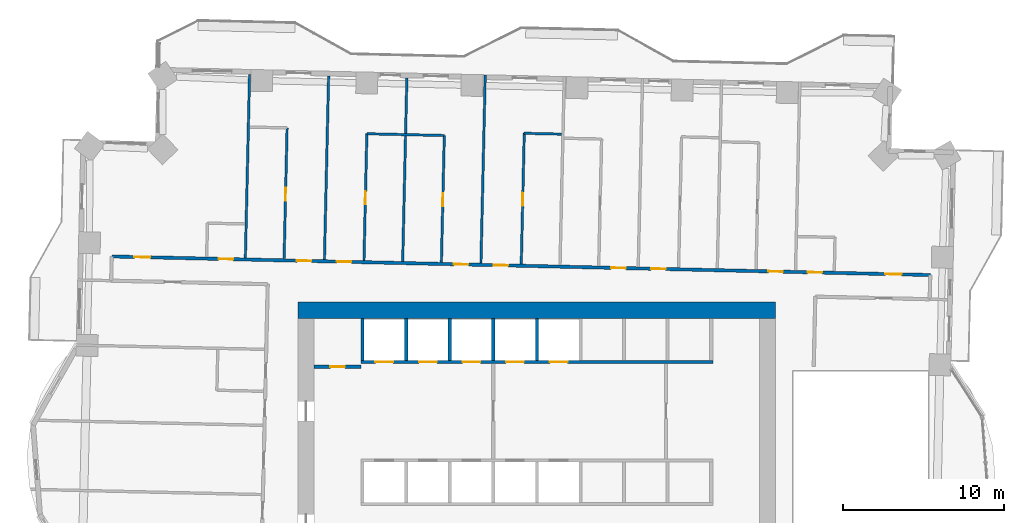
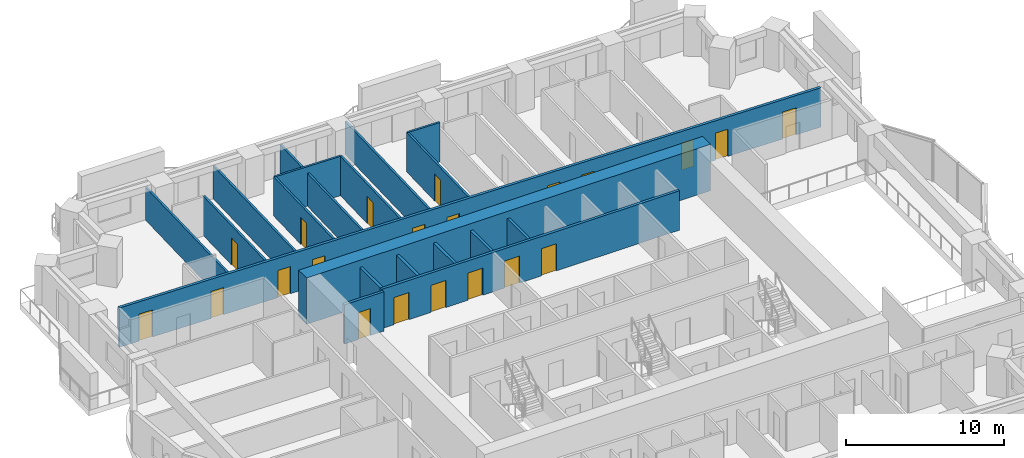
# One storey, part 10 of 16: 21 doors, 19 walls, 21 openings.
"""IFC4 building model written with IfcOpenShell, lengths in metres."""

from ifc_helpers import new_model, si_unit, direction, frame, frame_2d, origin, place, context, subcontext, project, spatial, rectangle, extrude, material, layer, layer_set, type_object, element, fill, save


model = new_model("IFC4")

# Units and contexts
model_context = context("Model", 3, precision=1e-05, world=origin(), true_north=direction((0.0, 1.0)))
body_context = subcontext(model_context, "Body", "Model", "MODEL_VIEW")
ifc_project = project(units=[si_unit("LENGTHUNIT", "METRE"), si_unit("AREAUNIT", "SQUARE_METRE"), si_unit("VOLUMEUNIT", "CUBIC_METRE"), si_unit("PLANEANGLEUNIT", "RADIAN"), si_unit("MASSUNIT", "GRAM", prefix="KILO")], contexts=[model_context])

# Site, building, storey
site_placement = place(None, origin())
site = spatial("IfcSite", under=ifc_project, at=site_placement, CompositionType="ELEMENT")
building_placement = place(site_placement, origin())
building = spatial("IfcBuilding", under=site, at=building_placement, Name="Mangrove Gate Tower", CompositionType="ELEMENT")
storey_placement = place(building_placement, frame((0.0, 0.0, 116.300048828125)))
storey = spatial("IfcBuildingStorey", under=building, at=storey_placement, Name="L29", CompositionType="ELEMENT", Elevation=116.300048828125)

# Wall, opening, door
ifc_material_1 = material(Name="Concrete C32/40", Category="concrete")
ifc_layer_1 = layer(ifc_material_1, 0.199951171875)
ifc_layer_set_1 = layer_set([ifc_layer_1], Name="Core lobby wall 200 C32/40")
wall_type_1 = type_object("IfcWallType", Name="Core lobby wall 200 C32/40", PredefinedType="STANDARD", material=ifc_layer_set_1)
wall_1_placement = place(storey_placement, frame((-13.800048828125, 7.800048828125, 0.0), z_axis=(0.0, 0.0, 1.0), x_axis=(1.0, 0.0, 0.0)))
wall_1 = element("IfcWall", 1, at=wall_1_placement, inside=storey, type_object=wall_type_1, Name="WALL-L29-CORE-37", PredefinedType="STANDARD", context=body_context, shape_type="SweptSolid", body=[
    extrude(rectangle(XDim=2.900146484375, YDim=0.199951171875, at=frame_2d((1.4501953125, 0.0))), origin(), (0.0, 0.0, 1.0), 3.050048828125),
])
opening_1_placement = place(wall_1_placement, frame((1.0, 0.0, 0.0)))
opening_1 = element("IfcOpeningElement", 2, at=opening_1_placement, cuts=wall_1, Name="Opening RD", PredefinedType="OPENING", context=body_context, shape_type="SweptSolid", body=[
    extrude(rectangle(XDim=0.89990234375, YDim=2.10009765625, at=frame_2d((0.449951171875, 1.050048828125))), frame((0.0, 0.10986328125, 0.0), z_axis=(0.0, -1.0, 0.0), x_axis=(1.0, 0.0, 0.0)), (0.0, 0.0, 1.0), 0.219970703125),
])
ifc_material_2 = material(Name="Fire-rated steel door set", Category="steel")
door_type_1 = type_object("IfcDoorType", Name="Riser door FD30S 900x2100", OperationType="SINGLE_SWING_LEFT", PredefinedType="DOOR", material=ifc_material_2)
door_1_placement = place(opening_1_placement, origin())
door_1 = element("IfcDoor", 3, at=door_1_placement, inside=storey, type_object=door_type_1, Name="Riser door electrical room", OperationType="SINGLE_SWING_LEFT", OverallHeight=2.10009765625, OverallWidth=0.89990234375, PredefinedType="DOOR", context=body_context, shape_type="SweptSolid", body=[
    extrude(rectangle(XDim=0.89990234375, YDim=2.10009765625, at=frame_2d((0.449951171875, 1.050048828125))), frame((0.0, 0.02490234375, 0.0), z_axis=(0.0, -1.0, 0.0), x_axis=(1.0, 0.0, 0.0)), (0.0, 0.0, 1.0), 0.050048828125),
])
fill(opening_1, door_1)

# Wall, openings, doors
ifc_material_3 = material(Name="Concrete C70/85", Category="concrete")
ifc_layer_2 = layer(ifc_material_3, 0.199951171875)
ifc_layer_set_2 = layer_set([ifc_layer_2], Name="Core shaft wall 200 C70/85")
wall_type_2 = type_object("IfcWallType", Name="Core shaft wall 200 C70/85", PredefinedType="SHEAR", material=ifc_layer_set_2)
wall_2_placement = place(storey_placement, frame((-10.89990234375, 8.10009765625, 0.0), z_axis=(0.0, 0.0, 1.0), x_axis=(1.0, 0.0, 0.0)))
wall_2 = element("IfcWall", 4, at=wall_2_placement, inside=storey, type_object=wall_type_2, Name="WALL-L29-CORE-8", PredefinedType="SHEAR", context=body_context, shape_type="SweptSolid", body=[
    extrude(rectangle(XDim=21.7998046875, YDim=0.199951171875, at=frame_2d((10.89990234375, 0.0))), origin(), (0.0, 0.0, 1.0), 3.050048828125),
])
opening_2_placement = place(wall_2_placement, frame((0.89990234375, 0.0, 0.0)))
opening_2 = element("IfcOpeningElement", 5, at=opening_2_placement, cuts=wall_2, Name="Opening LD", PredefinedType="OPENING", context=body_context, shape_type="SweptSolid", body=[
    extrude(rectangle(XDim=1.10009765625, YDim=2.10009765625, at=frame_2d((0.550048828125, 1.050048828125))), frame((0.0, 0.10986328125, 0.0), z_axis=(0.0, -1.0, 0.0), x_axis=(1.0, 0.0, 0.0)), (0.0, 0.0, 1.0), 0.219970703125),
])
opening_3_placement = place(wall_2_placement, frame((3.60009765625, 0.0, 0.0)))
opening_3 = element("IfcOpeningElement", 6, at=opening_3_placement, cuts=wall_2, Name="Opening LD", PredefinedType="OPENING", context=body_context, shape_type="SweptSolid", body=[
    extrude(rectangle(XDim=1.10009765625, YDim=2.10009765625, at=frame_2d((0.550048828125, 1.050048828125))), frame((0.0, 0.10986328125, 0.0), z_axis=(0.0, -1.0, 0.0), x_axis=(1.0, 0.0, 0.0)), (0.0, 0.0, 1.0), 0.219970703125),
])
opening_4_placement = place(wall_2_placement, frame((6.300048828125, 0.0, 0.0)))
opening_4 = element("IfcOpeningElement", 7, at=opening_4_placement, cuts=wall_2, Name="Opening LD", PredefinedType="OPENING", context=body_context, shape_type="SweptSolid", body=[
    extrude(rectangle(XDim=1.10009765625, YDim=2.10009765625, at=frame_2d((0.550048828125, 1.050048828125))), frame((0.0, 0.10986328125, 0.0), z_axis=(0.0, -1.0, 0.0), x_axis=(1.0, 0.0, 0.0)), (0.0, 0.0, 1.0), 0.219970703125),
])
opening_5_placement = place(wall_2_placement, frame((9.0, 0.0, 0.0)))
opening_5 = element("IfcOpeningElement", 8, at=opening_5_placement, cuts=wall_2, Name="Opening LD", PredefinedType="OPENING", context=body_context, shape_type="SweptSolid", body=[
    extrude(rectangle(XDim=1.10009765625, YDim=2.10009765625, at=frame_2d((0.550048828125, 1.050048828125))), frame((0.0, 0.10986328125, 0.0), z_axis=(0.0, -1.0, 0.0), x_axis=(1.0, 0.0, 0.0)), (0.0, 0.0, 1.0), 0.219970703125),
])
opening_6_placement = place(wall_2_placement, frame((11.699951171875, 0.0, 0.0)))
opening_6 = element("IfcOpeningElement", 9, at=opening_6_placement, cuts=wall_2, Name="Opening LD", PredefinedType="OPENING", context=body_context, shape_type="SweptSolid", body=[
    extrude(rectangle(XDim=1.10009765625, YDim=2.10009765625, at=frame_2d((0.550048828125, 1.050048828125))), frame((0.0, 0.10986328125, 0.0), z_axis=(0.0, -1.0, 0.0), x_axis=(1.0, 0.0, 0.0)), (0.0, 0.0, 1.0), 0.219970703125),
])
ifc_material_4 = material(Name="Stainless steel 316", Category="steel")
door_type_2 = type_object("IfcDoorType", Name="Lift landing door 1100x2100", OperationType="SLIDING_TO_LEFT", PredefinedType="DOOR", material=ifc_material_4)
door_2_placement = place(opening_2_placement, origin())
door_2 = element("IfcDoor", 10, at=door_2_placement, inside=storey, type_object=door_type_2, Name="Landing door LD P06", OperationType="SLIDING_TO_LEFT", OverallHeight=2.10009765625, OverallWidth=1.10009765625, PredefinedType="DOOR", context=body_context, shape_type="SweptSolid", body=[
    extrude(rectangle(XDim=1.10009765625, YDim=2.10009765625, at=frame_2d((0.550048828125, 1.050048828125))), frame((0.0, 0.02490234375, 0.0), z_axis=(0.0, -1.0, 0.0), x_axis=(1.0, 0.0, 0.0)), (0.0, 0.0, 1.0), 0.050048828125),
])
fill(opening_2, door_2)
door_3_placement = place(opening_3_placement, origin())
door_3 = element("IfcDoor", 11, at=door_3_placement, inside=storey, type_object=door_type_2, Name="Landing door LD P07", OperationType="SLIDING_TO_LEFT", OverallHeight=2.10009765625, OverallWidth=1.10009765625, PredefinedType="DOOR", context=body_context, shape_type="SweptSolid", body=[
    extrude(rectangle(XDim=1.10009765625, YDim=2.10009765625, at=frame_2d((0.550048828125, 1.050048828125))), frame((0.0, 0.02490234375, 0.0), z_axis=(0.0, -1.0, 0.0), x_axis=(1.0, 0.0, 0.0)), (0.0, 0.0, 1.0), 0.050048828125),
])
fill(opening_3, door_3)
door_4_placement = place(opening_4_placement, origin())
door_4 = element("IfcDoor", 12, at=door_4_placement, inside=storey, type_object=door_type_2, Name="Landing door LD P08", OperationType="SLIDING_TO_LEFT", OverallHeight=2.10009765625, OverallWidth=1.10009765625, PredefinedType="DOOR", context=body_context, shape_type="SweptSolid", body=[
    extrude(rectangle(XDim=1.10009765625, YDim=2.10009765625, at=frame_2d((0.550048828125, 1.050048828125))), frame((0.0, 0.02490234375, 0.0), z_axis=(0.0, -1.0, 0.0), x_axis=(1.0, 0.0, 0.0)), (0.0, 0.0, 1.0), 0.050048828125),
])
fill(opening_4, door_4)
door_5_placement = place(opening_5_placement, origin())
door_5 = element("IfcDoor", 13, at=door_5_placement, inside=storey, type_object=door_type_2, Name="Landing door LD P09", OperationType="SLIDING_TO_LEFT", OverallHeight=2.10009765625, OverallWidth=1.10009765625, PredefinedType="DOOR", context=body_context, shape_type="SweptSolid", body=[
    extrude(rectangle(XDim=1.10009765625, YDim=2.10009765625, at=frame_2d((0.550048828125, 1.050048828125))), frame((0.0, 0.02490234375, 0.0), z_axis=(0.0, -1.0, 0.0), x_axis=(1.0, 0.0, 0.0)), (0.0, 0.0, 1.0), 0.050048828125),
])
fill(opening_5, door_5)
door_6_placement = place(opening_6_placement, origin())
door_6 = element("IfcDoor", 14, at=door_6_placement, inside=storey, type_object=door_type_2, Name="Landing door LD P10", OperationType="SLIDING_TO_LEFT", OverallHeight=2.10009765625, OverallWidth=1.10009765625, PredefinedType="DOOR", context=body_context, shape_type="SweptSolid", body=[
    extrude(rectangle(XDim=1.10009765625, YDim=2.10009765625, at=frame_2d((0.550048828125, 1.050048828125))), frame((0.0, 0.02490234375, 0.0), z_axis=(0.0, -1.0, 0.0), x_axis=(1.0, 0.0, 0.0)), (0.0, 0.0, 1.0), 0.050048828125),
])
fill(opening_6, door_6)

# Walls
for number, where, z_axis, x_axis, name in (
    (15, (-10.800048828125, 8.199951171875, 0.0), (0.0, 0.0, 1.0), (0.0, 1.0, 0.0), "WALL-L29-CORE-28"),
    (16, (-8.10009765625, 8.199951171875, 0.0), (0.0, 0.0, 1.0), (0.0, 1.0, 0.0), "WALL-L29-CORE-29"),
    (17, (-5.39990234375, 8.199951171875, 0.0), (0.0, 0.0, 1.0), (0.0, 1.0, 0.0), "WALL-L29-CORE-30"),
    (18, (-2.699951171875, 8.199951171875, 0.0), (0.0, 0.0, 1.0), (0.0, 1.0, 0.0), "WALL-L29-CORE-31"),
    (19, (0.0, 8.199951171875, 0.0), (0.0, 0.0, 1.0), (0.0, 1.0, 0.0), "WALL-L29-CORE-32"),
):
    element("IfcWall", number, at=place(storey_placement, frame(where, z_axis=z_axis, x_axis=x_axis)), inside=storey, type_object=wall_type_2, Name=name, PredefinedType="SHEAR", context=body_context, shape_type="SweptSolid", body=[
        extrude(rectangle(XDim=2.60009765625, YDim=0.199951171875, at=frame_2d((1.300048828125, 0.0))), origin(), (0.0, 0.0, 1.0), 3.050048828125),
    ])
ifc_material_5 = material(Name="Concrete C70/85", Category="concrete")
ifc_layer_3 = layer(ifc_material_5, 1.0)
ifc_layer_set_3 = layer_set([ifc_layer_3], Name="Core wall 1000 C70/85")
wall_type_3 = type_object("IfcWallType", Name="Core wall 1000 C70/85", PredefinedType="SHEAR", material=ifc_layer_set_3)
wall_3_placement = place(storey_placement, frame((-14.800048828125, 11.300048828125, 0.0), z_axis=(0.0, 0.0, 1.0), x_axis=(1.0, 0.0, 0.0)))
element("IfcWall", 20, at=wall_3_placement, inside=storey, type_object=wall_type_3, Name="WALL-L29-CORE-2", PredefinedType="SHEAR", context=body_context, shape_type="SweptSolid", body=[
    extrude(rectangle(XDim=29.60009765625, YDim=1.0, at=frame_2d((14.800048828125, 0.0))), origin(), (0.0, 0.0, 1.0), 3.599853515625),
])

# Wall, openings, doors
ifc_material_6 = material(Name="Gypsum board on steel stud, EI 60", Category="steel")
ifc_layer_4 = layer(ifc_material_6, 0.199951171875)
ifc_layer_set_4 = layer_set([ifc_layer_4], Name="Corridor wall EI 60")
wall_type_4 = type_object("IfcWallType", Name="Corridor wall EI 60", PredefinedType="PARTITIONING", material=ifc_layer_set_4)
wall_4_placement = place(storey_placement, frame((-26.341064453125, 14.635009765625, 0.0), z_axis=(0.0, 0.0, 1.0), x_axis=(0.999742553034, -0.02268981385, 0.0)))
wall_4 = element("IfcWall", 21, at=wall_4_placement, inside=storey, type_object=wall_type_4, Name="WALL-L29-051", PredefinedType="PARTITIONING", context=body_context, shape_type="SweptSolid", body=[
    extrude(rectangle(XDim=50.73291015625, YDim=0.199951171875, at=frame_2d((25.366455078125, 0.0))), origin(), (0.0, 0.0, 1.0), 3.050048828125),
])
opening_7_placement = place(wall_4_placement, frame((47.9541015625, 0.0, 0.0)))
opening_7 = element("IfcOpeningElement", 22, at=opening_7_placement, cuts=wall_4, Name="Opening AD", PredefinedType="OPENING", context=body_context, shape_type="SweptSolid", body=[
    extrude(rectangle(XDim=1.0, YDim=2.10009765625, at=frame_2d((0.5, 1.050048828125))), frame((0.0, 0.10986328125, 0.0), z_axis=(0.0, -1.0, 0.0), x_axis=(1.0, 0.0, 0.0)), (0.0, 0.0, 1.0), 0.219970703125),
])
opening_8_placement = place(wall_4_placement, frame((43.125, 0.0, 0.0)))
opening_8 = element("IfcOpeningElement", 23, at=opening_8_placement, cuts=wall_4, Name="Opening SD", PredefinedType="OPENING", context=body_context, shape_type="SweptSolid", body=[
    extrude(rectangle(XDim=0.89990234375, YDim=2.10009765625, at=frame_2d((0.449951171875, 1.050048828125))), frame((0.0, 0.10986328125, 0.0), z_axis=(0.0, -1.0, 0.0), x_axis=(1.0, 0.0, 0.0)), (0.0, 0.0, 1.0), 0.219970703125),
])
opening_9_placement = place(wall_4_placement, frame((40.699951171875, 0.0, 0.0)))
opening_9 = element("IfcOpeningElement", 24, at=opening_9_placement, cuts=wall_4, Name="Opening BD", PredefinedType="OPENING", context=body_context, shape_type="SweptSolid", body=[
    extrude(rectangle(XDim=0.89990234375, YDim=2.10009765625, at=frame_2d((0.449951171875, 1.050048828125))), frame((0.0, 0.10986328125, 0.0), z_axis=(0.0, -1.0, 0.0), x_axis=(1.0, 0.0, 0.0)), (0.0, 0.0, 1.0), 0.219970703125),
])
opening_10_placement = place(wall_4_placement, frame((33.425048828125, 0.0, 0.0)))
opening_10 = element("IfcOpeningElement", 25, at=opening_10_placement, cuts=wall_4, Name="Opening BD", PredefinedType="OPENING", context=body_context, shape_type="SweptSolid", body=[
    extrude(rectangle(XDim=0.89990234375, YDim=2.10009765625, at=frame_2d((0.449951171875, 1.050048828125))), frame((0.0, 0.10986328125, 0.0), z_axis=(0.0, -1.0, 0.0), x_axis=(1.0, 0.0, 0.0)), (0.0, 0.0, 1.0), 0.219970703125),
])
opening_11_placement = place(wall_4_placement, frame((30.949951171875, 0.0, 0.0)))
opening_11 = element("IfcOpeningElement", 26, at=opening_11_placement, cuts=wall_4, Name="Opening BD", PredefinedType="OPENING", context=body_context, shape_type="SweptSolid", body=[
    extrude(rectangle(XDim=0.89990234375, YDim=2.10009765625, at=frame_2d((0.449951171875, 1.050048828125))), frame((0.0, 0.10986328125, 0.0), z_axis=(0.0, -1.0, 0.0), x_axis=(1.0, 0.0, 0.0)), (0.0, 0.0, 1.0), 0.219970703125),
])
opening_12_placement = place(wall_4_placement, frame((23.675048828125, 0.0, 0.0)))
opening_12 = element("IfcOpeningElement", 27, at=opening_12_placement, cuts=wall_4, Name="Opening BD", PredefinedType="OPENING", context=body_context, shape_type="SweptSolid", body=[
    extrude(rectangle(XDim=0.89990234375, YDim=2.10009765625, at=frame_2d((0.449951171875, 1.050048828125))), frame((0.0, 0.10986328125, 0.0), z_axis=(0.0, -1.0, 0.0), x_axis=(1.0, 0.0, 0.0)), (0.0, 0.0, 1.0), 0.219970703125),
])
opening_13_placement = place(wall_4_placement, frame((21.199951171875, 0.0, 0.0)))
opening_13 = element("IfcOpeningElement", 28, at=opening_13_placement, cuts=wall_4, Name="Opening BD", PredefinedType="OPENING", context=body_context, shape_type="SweptSolid", body=[
    extrude(rectangle(XDim=0.89990234375, YDim=2.10009765625, at=frame_2d((0.449951171875, 1.050048828125))), frame((0.0, 0.10986328125, 0.0), z_axis=(0.0, -1.0, 0.0), x_axis=(1.0, 0.0, 0.0)), (0.0, 0.0, 1.0), 0.219970703125),
])
opening_14_placement = place(wall_4_placement, frame((13.949951171875, 0.0, 0.0)))
opening_14 = element("IfcOpeningElement", 29, at=opening_14_placement, cuts=wall_4, Name="Opening BD", PredefinedType="OPENING", context=body_context, shape_type="SweptSolid", body=[
    extrude(rectangle(XDim=0.89990234375, YDim=2.10009765625, at=frame_2d((0.449951171875, 1.050048828125))), frame((0.0, 0.10986328125, 0.0), z_axis=(0.0, -1.0, 0.0), x_axis=(1.0, 0.0, 0.0)), (0.0, 0.0, 1.0), 0.219970703125),
])
opening_15_placement = place(wall_4_placement, frame((11.47509765625, 0.0, 0.0)))
opening_15 = element("IfcOpeningElement", 30, at=opening_15_placement, cuts=wall_4, Name="Opening BD", PredefinedType="OPENING", context=body_context, shape_type="SweptSolid", body=[
    extrude(rectangle(XDim=0.89990234375, YDim=2.10009765625, at=frame_2d((0.449951171875, 1.050048828125))), frame((0.0, 0.10986328125, 0.0), z_axis=(0.0, -1.0, 0.0), x_axis=(1.0, 0.0, 0.0)), (0.0, 0.0, 1.0), 0.219970703125),
])
opening_16_placement = place(wall_4_placement, frame((1.39990234375, 0.0, 0.0)))
opening_16 = element("IfcOpeningElement", 31, at=opening_16_placement, cuts=wall_4, Name="Opening AD", PredefinedType="OPENING", context=body_context, shape_type="SweptSolid", body=[
    extrude(rectangle(XDim=1.0, YDim=2.10009765625, at=frame_2d((0.5, 1.050048828125))), frame((0.0, 0.10986328125, 0.0), z_axis=(0.0, -1.0, 0.0), x_axis=(1.0, 0.0, 0.0)), (0.0, 0.0, 1.0), 0.219970703125),
])
opening_17_placement = place(wall_4_placement, frame((6.625, 0.0, 0.0)))
opening_17 = element("IfcOpeningElement", 32, at=opening_17_placement, cuts=wall_4, Name="Opening SD", PredefinedType="OPENING", context=body_context, shape_type="SweptSolid", body=[
    extrude(rectangle(XDim=0.89990234375, YDim=2.10009765625, at=frame_2d((0.449951171875, 1.050048828125))), frame((0.0, 0.10986328125, 0.0), z_axis=(0.0, -1.0, 0.0), x_axis=(1.0, 0.0, 0.0)), (0.0, 0.0, 1.0), 0.219970703125),
])
ifc_material_7 = material(Name="Timber door leaf", Category="wood")
door_type_3 = type_object("IfcDoorType", Name="Amenity door 1000", OperationType="SINGLE_SWING_LEFT", PredefinedType="DOOR", material=ifc_material_7)
door_7_placement = place(opening_7_placement, origin())
door_7 = element("IfcDoor", 33, at=door_7_placement, inside=storey, type_object=door_type_3, Name="DOOR-L29-KIT-c3b", OperationType="SINGLE_SWING_LEFT", OverallHeight=2.10009765625, OverallWidth=1.0, PredefinedType="DOOR", context=body_context, shape_type="SweptSolid", body=[
    extrude(rectangle(XDim=1.0, YDim=2.10009765625, at=frame_2d((0.5, 1.050048828125))), frame((0.0, 0.02490234375, 0.0), z_axis=(0.0, -1.0, 0.0), x_axis=(1.0, 0.0, 0.0)), (0.0, 0.0, 1.0), 0.050048828125),
])
fill(opening_7, door_7)
door_8_placement = place(opening_16_placement, origin())
door_8 = element("IfcDoor", 34, at=door_8_placement, inside=storey, type_object=door_type_3, Name="DOOR-L29-KIT-c5a", OperationType="SINGLE_SWING_RIGHT", OverallHeight=2.10009765625, OverallWidth=1.0, PredefinedType="DOOR", context=body_context, shape_type="SweptSolid", body=[
    extrude(rectangle(XDim=1.0, YDim=2.10009765625, at=frame_2d((0.5, 1.050048828125))), frame((0.0, 0.02490234375, 0.0), z_axis=(0.0, -1.0, 0.0), x_axis=(1.0, 0.0, 0.0)), (0.0, 0.0, 1.0), 0.050048828125),
])
fill(opening_16, door_8)
ifc_material_8 = material(Name="Timber door leaf", Category="wood")
door_type_4 = type_object("IfcDoorType", Name="Bedroom door 900", OperationType="SINGLE_SWING_LEFT", PredefinedType="DOOR", material=ifc_material_8)
door_9_placement = place(opening_9_placement, origin())
door_9 = element("IfcDoor", 35, at=door_9_placement, inside=storey, type_object=door_type_4, Name="DOOR-L29-BED-c309", OperationType="SINGLE_SWING_LEFT", OverallHeight=2.10009765625, OverallWidth=0.89990234375, PredefinedType="DOOR", context=body_context, shape_type="SweptSolid", body=[
    extrude(rectangle(XDim=0.89990234375, YDim=2.10009765625, at=frame_2d((0.449951171875, 1.050048828125))), frame((0.0, 0.02490234375, 0.0), z_axis=(0.0, -1.0, 0.0), x_axis=(1.0, 0.0, 0.0)), (0.0, 0.0, 1.0), 0.050048828125),
])
fill(opening_9, door_9)
door_10_placement = place(opening_10_placement, origin())
door_10 = element("IfcDoor", 36, at=door_10_placement, inside=storey, type_object=door_type_4, Name="DOOR-L29-BED-c410", OperationType="SINGLE_SWING_RIGHT", OverallHeight=2.10009765625, OverallWidth=0.89990234375, PredefinedType="DOOR", context=body_context, shape_type="SweptSolid", body=[
    extrude(rectangle(XDim=0.89990234375, YDim=2.10009765625, at=frame_2d((0.449951171875, 1.050048828125))), frame((0.0, 0.02490234375, 0.0), z_axis=(0.0, -1.0, 0.0), x_axis=(1.0, 0.0, 0.0)), (0.0, 0.0, 1.0), 0.050048828125),
])
fill(opening_10, door_10)
door_11_placement = place(opening_11_placement, origin())
door_11 = element("IfcDoor", 37, at=door_11_placement, inside=storey, type_object=door_type_4, Name="DOOR-L29-BED-c411", OperationType="SINGLE_SWING_LEFT", OverallHeight=2.10009765625, OverallWidth=0.89990234375, PredefinedType="DOOR", context=body_context, shape_type="SweptSolid", body=[
    extrude(rectangle(XDim=0.89990234375, YDim=2.10009765625, at=frame_2d((0.449951171875, 1.050048828125))), frame((0.0, 0.02490234375, 0.0), z_axis=(0.0, -1.0, 0.0), x_axis=(1.0, 0.0, 0.0)), (0.0, 0.0, 1.0), 0.050048828125),
])
fill(opening_11, door_11)
door_12_placement = place(opening_12_placement, origin())
door_12 = element("IfcDoor", 38, at=door_12_placement, inside=storey, type_object=door_type_4, Name="DOOR-L29-BED-c412", OperationType="SINGLE_SWING_RIGHT", OverallHeight=2.10009765625, OverallWidth=0.89990234375, PredefinedType="DOOR", context=body_context, shape_type="SweptSolid", body=[
    extrude(rectangle(XDim=0.89990234375, YDim=2.10009765625, at=frame_2d((0.449951171875, 1.050048828125))), frame((0.0, 0.02490234375, 0.0), z_axis=(0.0, -1.0, 0.0), x_axis=(1.0, 0.0, 0.0)), (0.0, 0.0, 1.0), 0.050048828125),
])
fill(opening_12, door_12)
door_13_placement = place(opening_13_placement, origin())
door_13 = element("IfcDoor", 39, at=door_13_placement, inside=storey, type_object=door_type_4, Name="DOOR-L29-BED-c513", OperationType="SINGLE_SWING_LEFT", OverallHeight=2.10009765625, OverallWidth=0.89990234375, PredefinedType="DOOR", context=body_context, shape_type="SweptSolid", body=[
    extrude(rectangle(XDim=0.89990234375, YDim=2.10009765625, at=frame_2d((0.449951171875, 1.050048828125))), frame((0.0, 0.02490234375, 0.0), z_axis=(0.0, -1.0, 0.0), x_axis=(1.0, 0.0, 0.0)), (0.0, 0.0, 1.0), 0.050048828125),
])
fill(opening_13, door_13)
door_14_placement = place(opening_14_placement, origin())
door_14 = element("IfcDoor", 40, at=door_14_placement, inside=storey, type_object=door_type_4, Name="DOOR-L29-BED-c514", OperationType="SINGLE_SWING_RIGHT", OverallHeight=2.10009765625, OverallWidth=0.89990234375, PredefinedType="DOOR", context=body_context, shape_type="SweptSolid", body=[
    extrude(rectangle(XDim=0.89990234375, YDim=2.10009765625, at=frame_2d((0.449951171875, 1.050048828125))), frame((0.0, 0.02490234375, 0.0), z_axis=(0.0, -1.0, 0.0), x_axis=(1.0, 0.0, 0.0)), (0.0, 0.0, 1.0), 0.050048828125),
])
fill(opening_14, door_14)
door_15_placement = place(opening_15_placement, origin())
door_15 = element("IfcDoor", 41, at=door_15_placement, inside=storey, type_object=door_type_4, Name="DOOR-L29-BED-c515", OperationType="SINGLE_SWING_LEFT", OverallHeight=2.10009765625, OverallWidth=0.89990234375, PredefinedType="DOOR", context=body_context, shape_type="SweptSolid", body=[
    extrude(rectangle(XDim=0.89990234375, YDim=2.10009765625, at=frame_2d((0.449951171875, 1.050048828125))), frame((0.0, 0.02490234375, 0.0), z_axis=(0.0, -1.0, 0.0), x_axis=(1.0, 0.0, 0.0)), (0.0, 0.0, 1.0), 0.050048828125),
])
fill(opening_15, door_15)
ifc_material_9 = material(Name="Timber door leaf", Category="wood")
door_type_5 = type_object("IfcDoorType", Name="Service room door 900", OperationType="SINGLE_SWING_LEFT", PredefinedType="DOOR", material=ifc_material_9)
door_16_placement = place(opening_8_placement, origin())
door_16 = element("IfcDoor", 42, at=door_16_placement, inside=storey, type_object=door_type_5, Name="DOOR-L29-LIN-c3b", OperationType="SINGLE_SWING_RIGHT", OverallHeight=2.10009765625, OverallWidth=0.89990234375, PredefinedType="DOOR", context=body_context, shape_type="SweptSolid", body=[
    extrude(rectangle(XDim=0.89990234375, YDim=2.10009765625, at=frame_2d((0.449951171875, 1.050048828125))), frame((0.0, 0.02490234375, 0.0), z_axis=(0.0, -1.0, 0.0), x_axis=(1.0, 0.0, 0.0)), (0.0, 0.0, 1.0), 0.050048828125),
])
fill(opening_8, door_16)
door_17_placement = place(opening_17_placement, origin())
door_17 = element("IfcDoor", 43, at=door_17_placement, inside=storey, type_object=door_type_5, Name="DOOR-L29-LIN-c5a", OperationType="SINGLE_SWING_LEFT", OverallHeight=2.10009765625, OverallWidth=0.89990234375, PredefinedType="DOOR", context=body_context, shape_type="SweptSolid", body=[
    extrude(rectangle(XDim=0.89990234375, YDim=2.10009765625, at=frame_2d((0.449951171875, 1.050048828125))), frame((0.0, 0.02490234375, 0.0), z_axis=(0.0, -1.0, 0.0), x_axis=(1.0, 0.0, 0.0)), (0.0, 0.0, 1.0), 0.050048828125),
])
fill(opening_17, door_17)

# Wall
ifc_material_10 = material(Name="Gypsum board on steel stud, EI 60", Category="steel")
ifc_layer_5 = layer(ifc_material_10, 0.14990234375)
ifc_layer_set_5 = layer_set([ifc_layer_5], Name="Party wall 150 EI 60")
wall_type_5 = type_object("IfcWallType", Name="Party wall 150 EI 60", PredefinedType="PARTITIONING", material=ifc_layer_set_5)
wall_5_placement = place(storey_placement, frame((-18.06201171875, 14.551025390625, 0.0), z_axis=(0.0, 0.0, 1.0), x_axis=(0.022770155219, 0.999740726404, 0.0)))
element("IfcWall", 44, at=wall_5_placement, inside=storey, type_object=wall_type_5, Name="WALL-L29-053", PredefinedType="PARTITIONING", context=body_context, shape_type="SweptSolid", body=[
    extrude(rectangle(XDim=11.3759765625, YDim=0.14990234375, at=frame_2d((5.68798828125, 0.0))), origin(), (0.0, 0.0, 1.0), 2.550048828125),
])

# Wall, opening, door
wall_6_placement = place(storey_placement, frame((-15.662109375, 14.49609375, 0.0), z_axis=(0.0, 0.0, 1.0), x_axis=(0.022698155442, 0.999742363682, 0.0)))
wall_6 = element("IfcWall", 45, at=wall_6_placement, inside=storey, type_object=wall_type_5, Name="WALL-L29-054", PredefinedType="PARTITIONING", context=body_context, shape_type="SweptSolid", body=[
    extrude(rectangle(XDim=8.110107421875, YDim=0.14990234375, at=frame_2d((4.05517578125, 0.0))), origin(), (0.0, 0.0, 1.0), 3.050048828125),
])
opening_18_placement = place(wall_6_placement, frame((3.60498046875, 0.0, 0.0)))
opening_18 = element("IfcOpeningElement", 46, at=opening_18_placement, cuts=wall_6, Name="Opening ED", PredefinedType="OPENING", context=body_context, shape_type="SweptSolid", body=[
    extrude(rectangle(XDim=0.800048828125, YDim=2.10009765625, at=frame_2d((0.39990234375, 1.050048828125))), frame((0.0, 0.0849609375, 0.0), z_axis=(0.0, -1.0, 0.0), x_axis=(1.0, 0.0, 0.0)), (0.0, 0.0, 1.0), 0.169921875),
])
ifc_material_11 = material(Name="Timber door leaf", Category="wood")
door_type_6 = type_object("IfcDoorType", Name="En-suite door 800", OperationType="SINGLE_SWING_LEFT", PredefinedType="DOOR", material=ifc_material_11)
door_18_placement = place(opening_18_placement, origin())
door_18 = element("IfcDoor", 47, at=door_18_placement, inside=storey, type_object=door_type_6, Name="DOOR-L29-ENS-c515", OperationType="SINGLE_SWING_LEFT", OverallHeight=2.10009765625, OverallWidth=0.800048828125, PredefinedType="DOOR", context=body_context, shape_type="SweptSolid", body=[
    extrude(rectangle(XDim=0.800048828125, YDim=2.10009765625, at=frame_2d((0.39990234375, 1.050048828125))), frame((0.0, 0.02490234375, 0.0), z_axis=(0.0, -1.0, 0.0), x_axis=(1.0, 0.0, 0.0)), (0.0, 0.0, 1.0), 0.050048828125),
])
fill(opening_18, door_18)

# Wall
wall_7_placement = place(storey_placement, frame((-13.1630859375, 14.43994140625, 0.0), z_axis=(0.0, 0.0, 1.0), x_axis=(0.022684355347, 0.999742676904, 0.0)))
element("IfcWall", 48, at=wall_7_placement, inside=storey, type_object=wall_type_5, Name="WALL-L29-055", PredefinedType="PARTITIONING", context=body_context, shape_type="SweptSolid", body=[
    extrude(rectangle(XDim=11.3759765625, YDim=0.14990234375, at=frame_2d((5.68798828125, 0.0))), origin(), (0.0, 0.0, 1.0), 2.550048828125),
])

# Wall, opening, door
wall_8_placement = place(storey_placement, frame((-10.712890625, 14.384033203125, 0.0), z_axis=(0.0, 0.0, 1.0), x_axis=(0.022643791768, 0.999743596476, 0.0)))
wall_8 = element("IfcWall", 49, at=wall_8_placement, inside=storey, type_object=wall_type_5, Name="WALL-L29-056", PredefinedType="PARTITIONING", context=body_context, shape_type="SweptSolid", body=[
    extrude(rectangle(XDim=7.85986328125, YDim=0.14990234375, at=frame_2d((3.929931640625, 0.0))), origin(), (0.0, 0.0, 1.0), 3.050048828125),
])
opening_19_placement = place(wall_8_placement, frame((3.47998046875, 0.0, 0.0)))
opening_19 = element("IfcOpeningElement", 50, at=opening_19_placement, cuts=wall_8, Name="Opening ED", PredefinedType="OPENING", context=body_context, shape_type="SweptSolid", body=[
    extrude(rectangle(XDim=0.800048828125, YDim=2.10009765625, at=frame_2d((0.39990234375, 1.050048828125))), frame((0.0, 0.0849609375, 0.0), z_axis=(0.0, -1.0, 0.0), x_axis=(1.0, 0.0, 0.0)), (0.0, 0.0, 1.0), 0.169921875),
])
door_19_placement = place(opening_19_placement, origin())
door_19 = element("IfcDoor", 51, at=door_19_placement, inside=storey, type_object=door_type_6, Name="DOOR-L29-ENS-c514", OperationType="SINGLE_SWING_RIGHT", OverallHeight=2.10009765625, OverallWidth=0.800048828125, PredefinedType="DOOR", context=body_context, shape_type="SweptSolid", body=[
    extrude(rectangle(XDim=0.800048828125, YDim=2.10009765625, at=frame_2d((0.39990234375, 1.050048828125))), frame((0.0, 0.02490234375, 0.0), z_axis=(0.0, -1.0, 0.0), x_axis=(1.0, 0.0, 0.0)), (0.0, 0.0, 1.0), 0.050048828125),
])
fill(opening_19, door_19)

# Wall
wall_9_placement = place(storey_placement, frame((-8.31396484375, 14.330078125, 0.0), z_axis=(0.0, 0.0, 1.0), x_axis=(0.022684842063, 0.99974266586, 0.0)))
element("IfcWall", 52, at=wall_9_placement, inside=storey, type_object=wall_type_5, Name="WALL-L29-057", PredefinedType="PARTITIONING", context=body_context, shape_type="SweptSolid", body=[
    extrude(rectangle(XDim=11.375732421875, YDim=0.14990234375, at=frame_2d((5.68798828125, 0.0))), origin(), (0.0, 0.0, 1.0), 2.550048828125),
])

# Wall, opening, door
wall_10_placement = place(storey_placement, frame((-5.9150390625, 14.27490234375, 0.0), z_axis=(0.0, 0.0, 1.0), x_axis=(0.022767266309, 0.999740792198, 0.0)))
wall_10 = element("IfcWall", 53, at=wall_10_placement, inside=storey, type_object=wall_type_5, Name="WALL-L29-058", PredefinedType="PARTITIONING", context=body_context, shape_type="SweptSolid", body=[
    extrude(rectangle(XDim=7.860107421875, YDim=0.14990234375, at=frame_2d((3.93017578125, 0.0))), origin(), (0.0, 0.0, 1.0), 3.050048828125),
])
opening_20_placement = place(wall_10_placement, frame((3.47998046875, 0.0, 0.0)))
opening_20 = element("IfcOpeningElement", 54, at=opening_20_placement, cuts=wall_10, Name="Opening ED", PredefinedType="OPENING", context=body_context, shape_type="SweptSolid", body=[
    extrude(rectangle(XDim=0.800048828125, YDim=2.10009765625, at=frame_2d((0.39990234375, 1.050048828125))), frame((0.0, 0.0849609375, 0.0), z_axis=(0.0, -1.0, 0.0), x_axis=(1.0, 0.0, 0.0)), (0.0, 0.0, 1.0), 0.169921875),
])
door_20_placement = place(opening_20_placement, origin())
door_20 = element("IfcDoor", 55, at=door_20_placement, inside=storey, type_object=door_type_6, Name="DOOR-L29-ENS-c513", OperationType="SINGLE_SWING_LEFT", OverallHeight=2.10009765625, OverallWidth=0.800048828125, PredefinedType="DOOR", context=body_context, shape_type="SweptSolid", body=[
    extrude(rectangle(XDim=0.800048828125, YDim=2.10009765625, at=frame_2d((0.39990234375, 1.050048828125))), frame((0.0, 0.02490234375, 0.0), z_axis=(0.0, -1.0, 0.0), x_axis=(1.0, 0.0, 0.0)), (0.0, 0.0, 1.0), 0.050048828125),
])
fill(opening_20, door_20)

# Wall
wall_11_placement = place(storey_placement, frame((-3.465087890625, 14.219970703125, 0.0), z_axis=(0.0, 0.0, 1.0), x_axis=(0.022707631257, 0.999742148498, 0.0)))
element("IfcWall", 56, at=wall_11_placement, inside=storey, type_object=wall_type_5, Name="WALL-L29-059", PredefinedType="PARTITIONING", context=body_context, shape_type="SweptSolid", body=[
    extrude(rectangle(XDim=11.676025390625, YDim=0.14990234375, at=frame_2d((5.837890625, 0.0))), origin(), (0.0, 0.0, 1.0), 2.550048828125),
])

# Wall, opening, door
wall_12_placement = place(storey_placement, frame((-0.966064453125, 14.1630859375, 0.0), z_axis=(0.0, 0.0, 1.0), x_axis=(0.022698155442, 0.999742363682, 0.0)))
wall_12 = element("IfcWall", 57, at=wall_12_placement, inside=storey, type_object=wall_type_5, Name="WALL-L29-060", PredefinedType="PARTITIONING", context=body_context, shape_type="SweptSolid", body=[
    extrude(rectangle(XDim=8.110107421875, YDim=0.14990234375, at=frame_2d((4.05517578125, 0.0))), origin(), (0.0, 0.0, 1.0), 3.050048828125),
])
opening_21_placement = place(wall_12_placement, frame((3.60498046875, 0.0, 0.0)))
opening_21 = element("IfcOpeningElement", 58, at=opening_21_placement, cuts=wall_12, Name="Opening ED", PredefinedType="OPENING", context=body_context, shape_type="SweptSolid", body=[
    extrude(rectangle(XDim=0.800048828125, YDim=2.10009765625, at=frame_2d((0.39990234375, 1.050048828125))), frame((0.0, 0.0849609375, 0.0), z_axis=(0.0, -1.0, 0.0), x_axis=(1.0, 0.0, 0.0)), (0.0, 0.0, 1.0), 0.169921875),
])
door_21_placement = place(opening_21_placement, origin())
door_21 = element("IfcDoor", 59, at=door_21_placement, inside=storey, type_object=door_type_6, Name="DOOR-L29-ENS-c412", OperationType="SINGLE_SWING_RIGHT", OverallHeight=2.10009765625, OverallWidth=0.800048828125, PredefinedType="DOOR", context=body_context, shape_type="SweptSolid", body=[
    extrude(rectangle(XDim=0.800048828125, YDim=2.10009765625, at=frame_2d((0.39990234375, 1.050048828125))), frame((0.0, 0.02490234375, 0.0), z_axis=(0.0, -1.0, 0.0), x_axis=(1.0, 0.0, 0.0)), (0.0, 0.0, 1.0), 0.050048828125),
])
fill(opening_21, door_21)

# Walls
wall_13_placement = place(storey_placement, frame((-10.5390625, 22.238037109375, 0.0), z_axis=(0.0, 0.0, 1.0), x_axis=(0.99974154664, -0.022734113616, 0.0)))
element("IfcWall", 60, at=wall_13_placement, inside=storey, type_object=wall_type_5, Name="WALL-L29-071", PredefinedType="PARTITIONING", context=body_context, shape_type="SweptSolid", body=[
    extrude(rectangle(XDim=4.80029296875, YDim=0.14990234375, at=frame_2d((2.400146484375, 0.0))), origin(), (0.0, 0.0, 1.0), 3.050048828125),
])
wall_14_placement = place(storey_placement, frame((-0.785888671875, 22.26708984375, 0.0), z_axis=(0.0, 0.0, 1.0), x_axis=(0.999740260747, -0.02279059109, 0.0)))
element("IfcWall", 61, at=wall_14_placement, inside=storey, type_object=wall_type_5, Name="WALL-L29-075", PredefinedType="PARTITIONING", context=body_context, shape_type="SweptSolid", body=[
    extrude(rectangle(XDim=2.324462890625, YDim=0.14990234375, at=frame_2d((1.162109375, 0.0))), origin(), (0.0, 0.0, 1.0), 3.050048828125),
])

save(model, "model.ifc")
